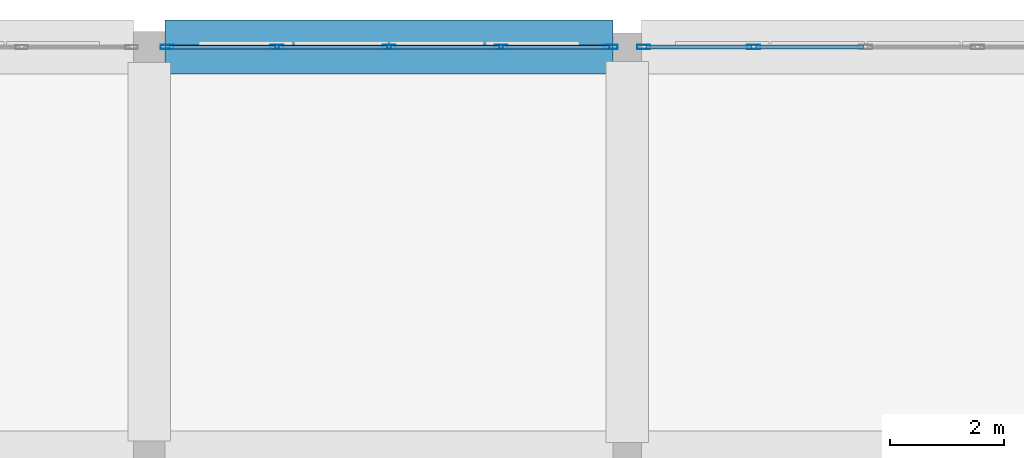
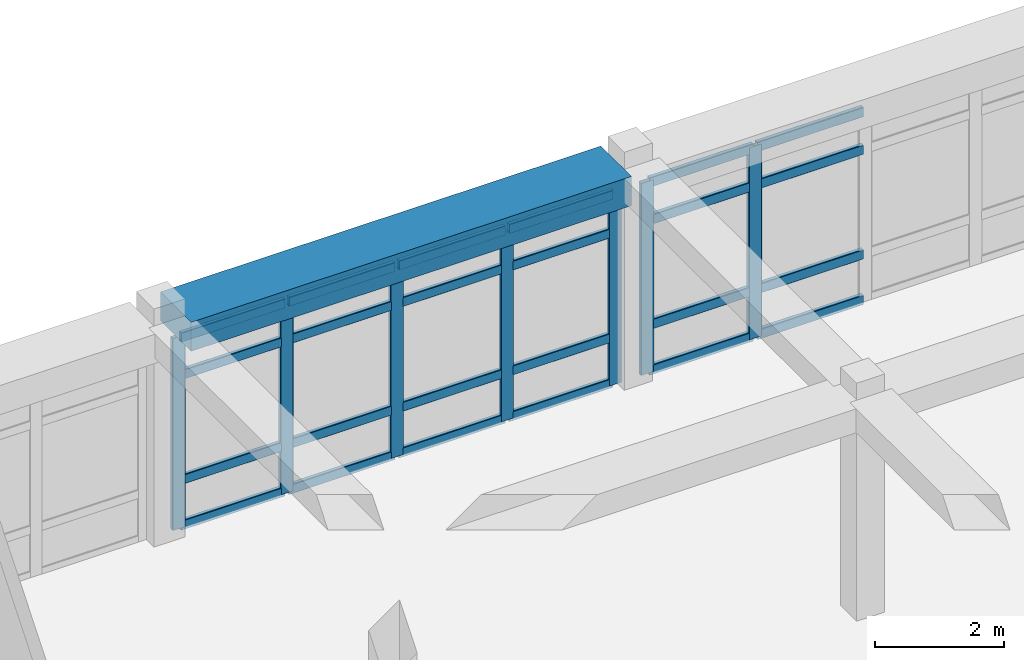
# One storey, part 50 of 121: 31 members, 1 beam, 2 elements without a shape of their own.
"""IFC4 building model written with IfcOpenShell, lengths in metres."""

from ifc_helpers import new_model, si_unit, derived_unit, direction, frame, origin, origin_2d, place, context, subcontext, project, spatial, rectangle, hollow_rectangle, extrude, material, material_profile, profile_set, type_object, element, aggregate, save


model = new_model("IFC4")

# Units and contexts
model_context = context("Model", 3, precision=1e-05, world=origin(), true_north=direction((0.0, 1.0)))
body_context = subcontext(model_context, "Body", "Model", "MODEL_VIEW")
ifc_project = project(units=[si_unit("LENGTHUNIT", "METRE"), si_unit("AREAUNIT", "SQUARE_METRE"), si_unit("VOLUMEUNIT", "CUBIC_METRE"), si_unit("PLANEANGLEUNIT", "RADIAN"), si_unit("MASSUNIT", "GRAM", prefix="KILO"), derived_unit("THERMALTRANSMITTANCEUNIT", [(si_unit("POWERUNIT", "WATT"), 1), (si_unit("LENGTHUNIT", "METRE"), -2), (si_unit("THERMODYNAMICTEMPERATUREUNIT", "KELVIN"), -1)])], contexts=[model_context])

# Site, building, storey
site_placement = place(None, origin())
site = spatial("IfcSite", under=ifc_project, at=site_placement, CompositionType="ELEMENT")
building_placement = place(site_placement, origin())
building = spatial("IfcBuilding", under=site, at=building_placement, Name="Veybourne Emporium", CompositionType="ELEMENT")
storey_placement = place(building_placement, frame((0.0, 0.0, 5.39990234375)))
storey = spatial("IfcBuildingStorey", under=building, at=storey_placement, Name="L01", CompositionType="ELEMENT", Elevation=5.39990234375)

# Curtain wall, members
ifc_material_1 = material(Name="Patinated Architectural Bronze", Category="bronze")
curtain_wall_type_1 = type_object("IfcCurtainWallType", Name="CWSystem_CWS-18", PredefinedType="NOTDEFINED", material=ifc_material_1)
curtain_wall_1_placement = place(storey_placement, origin())
curtain_wall_1 = element("IfcCurtainWall", 1, at=curtain_wall_1_placement, inside=storey, type_object=curtain_wall_type_1, Name="L01 bronze glazed curtain wall CWS-18 (045)", PredefinedType="NOTDEFINED")
ifc_material_profile_1 = material_profile(ifc_material_1, hollow_rectangle(XDim=0.074951171875, YDim=0.22998046875, WallThickness=0.0048828125, InnerFilletRadius=0.007568359375, OuterFilletRadius=0.012451171875, at=origin_2d()), Name="CWM 75x230x5")
ifc_profile_set_1 = profile_set([ifc_material_profile_1], Name="Patinated Architectural Bronze")
member_type_1 = type_object("IfcMemberType", Name="CWMullion_CW-M2", PredefinedType="MULLION", material=ifc_profile_set_1)
member_1_placement = place(storey_placement, frame((84.3125, 115.199951171875, 0.0), z_axis=(0.0, 0.0, 1.0), x_axis=(0.0, 1.0, 0.0)))
member_1 = element("IfcMember", 2, at=member_1_placement, type_object=member_type_1, Name="CWS-18 mullion 1", PredefinedType="MULLION", context=body_context, shape_type="SweptSolid", body=[
    extrude(hollow_rectangle(XDim=0.074951171875, YDim=0.22998046875, WallThickness=0.0048828125, InnerFilletRadius=0.007568359375, OuterFilletRadius=0.012451171875, at=origin_2d()), origin(), (0.0, 0.0, 1.0), 3.630126953125),
])
member_2_placement = place(storey_placement, frame((86.24365234375, 115.199951171875, 0.0), z_axis=(0.0, 0.0, 1.0), x_axis=(0.0, 1.0, 0.0)))
member_2 = element("IfcMember", 3, at=member_2_placement, type_object=member_type_1, Name="CWS-18 mullion 2", PredefinedType="MULLION", context=body_context, shape_type="SweptSolid", body=[
    extrude(hollow_rectangle(XDim=0.074951171875, YDim=0.22998046875, WallThickness=0.0048828125, InnerFilletRadius=0.007568359375, OuterFilletRadius=0.012451171875, at=origin_2d()), origin(), (0.0, 0.0, 1.0), 3.630126953125),
])
member_3_placement = place(storey_placement, frame((88.21240234375, 115.199951171875, 0.0), z_axis=(0.0, 0.0, 1.0), x_axis=(0.0, 1.0, 0.0)))
member_3 = element("IfcMember", 4, at=member_3_placement, type_object=member_type_1, Name="CWS-18 mullion 3", PredefinedType="MULLION", context=body_context, shape_type="SweptSolid", body=[
    extrude(hollow_rectangle(XDim=0.074951171875, YDim=0.22998046875, WallThickness=0.0048828125, InnerFilletRadius=0.007568359375, OuterFilletRadius=0.012451171875, at=origin_2d()), origin(), (0.0, 0.0, 1.0), 3.630126953125),
])
member_4_placement = place(storey_placement, frame((90.18115234375, 115.199951171875, 0.0), z_axis=(0.0, 0.0, 1.0), x_axis=(0.0, 1.0, 0.0)))
member_4 = element("IfcMember", 5, at=member_4_placement, type_object=member_type_1, Name="CWS-18 mullion 4", PredefinedType="MULLION", context=body_context, shape_type="SweptSolid", body=[
    extrude(hollow_rectangle(XDim=0.074951171875, YDim=0.22998046875, WallThickness=0.0048828125, InnerFilletRadius=0.007568359375, OuterFilletRadius=0.012451171875, at=origin_2d()), origin(), (0.0, 0.0, 1.0), 3.630126953125),
])
member_5_placement = place(storey_placement, frame((92.112548828125, 115.199951171875, 0.0), z_axis=(0.0, 0.0, 1.0), x_axis=(0.0, 1.0, 0.0)))
member_5 = element("IfcMember", 6, at=member_5_placement, type_object=member_type_1, Name="CWS-18 mullion 5", PredefinedType="MULLION", context=body_context, shape_type="SweptSolid", body=[
    extrude(hollow_rectangle(XDim=0.074951171875, YDim=0.22998046875, WallThickness=0.0048828125, InnerFilletRadius=0.007568359375, OuterFilletRadius=0.012451171875, at=origin_2d()), origin(), (0.0, 0.0, 1.0), 3.630126953125),
])

curtain_wall_type_2 = type_object("IfcCurtainWallType", Name="CWSystem_CWS-23", PredefinedType="NOTDEFINED", material=ifc_material_1)
curtain_wall_2_placement = place(storey_placement, origin())
curtain_wall_2 = element("IfcCurtainWall", 7, at=curtain_wall_2_placement, inside=storey, type_object=curtain_wall_type_2, Name="L01 bronze glazed curtain wall CWS-23 (060)", PredefinedType="NOTDEFINED")
ifc_material_profile_2 = material_profile(ifc_material_1, hollow_rectangle(XDim=0.077880859375, YDim=0.235107421875, WallThickness=0.0048828125, InnerFilletRadius=0.007568359375, OuterFilletRadius=0.012451171875, at=origin_2d()), Name="CWM 78x235x5")
ifc_profile_set_2 = profile_set([ifc_material_profile_2], Name="Patinated Architectural Bronze")
member_type_2 = type_object("IfcMemberType", Name="CWMullion_CW-M3", PredefinedType="MULLION", material=ifc_profile_set_2)
member_6_placement = place(storey_placement, frame((92.68896484375, 115.199951171875, 0.0), z_axis=(0.0, 0.0, 1.0), x_axis=(0.0, 1.0, 0.0)))
member_6 = element("IfcMember", 8, at=member_6_placement, type_object=member_type_2, Name="CWS-23 mullion 1", PredefinedType="MULLION", context=body_context, shape_type="SweptSolid", body=[
    extrude(hollow_rectangle(XDim=0.077880859375, YDim=0.235107421875, WallThickness=0.0048828125, InnerFilletRadius=0.007568359375, OuterFilletRadius=0.012451171875, at=origin_2d()), origin(), (0.0, 0.0, 1.0), 3.630126953125),
])
member_7_placement = place(storey_placement, frame((94.61865234375, 115.199951171875, 0.0), z_axis=(0.0, 0.0, 1.0), x_axis=(0.0, 1.0, 0.0)))
member_7 = element("IfcMember", 9, at=member_7_placement, type_object=member_type_2, Name="CWS-23 mullion 2", PredefinedType="MULLION", context=body_context, shape_type="SweptSolid", body=[
    extrude(hollow_rectangle(XDim=0.077880859375, YDim=0.235107421875, WallThickness=0.0048828125, InnerFilletRadius=0.007568359375, OuterFilletRadius=0.012451171875, at=origin_2d()), origin(), (0.0, 0.0, 1.0), 3.630126953125),
])

# Member
ifc_material_profile_3 = material_profile(ifc_material_1, hollow_rectangle(XDim=0.074951171875, YDim=0.179931640625, WallThickness=0.0048828125, InnerFilletRadius=0.007568359375, OuterFilletRadius=0.012451171875, at=origin_2d()), Name="CWT 75x180x5")
ifc_profile_set_3 = profile_set([ifc_material_profile_3], Name="Patinated Architectural Bronze")
member_type_3 = type_object("IfcMemberType", Name="CWTransom_CW-T2", PredefinedType="NOTDEFINED", material=ifc_profile_set_3)
member_8_placement = place(storey_placement, frame((84.35009765625, 115.199951171875, 0.03759765625), z_axis=(1.0, 0.0, 0.0), x_axis=(0.0, 1.0, 0.0)))
member_8 = element("IfcMember", 10, at=member_8_placement, type_object=member_type_3, Name="CWS-18 transom 1.1", ObjectType="TRANSOM", PredefinedType="USERDEFINED", context=body_context, shape_type="SweptSolid", body=[
    extrude(hollow_rectangle(XDim=0.074951171875, YDim=0.179931640625, WallThickness=0.0048828125, InnerFilletRadius=0.007568359375, OuterFilletRadius=0.012451171875, at=origin_2d()), origin(), (0.0, 0.0, 1.0), 1.856201171875),
])

member_9_placement = place(storey_placement, frame((84.35009765625, 115.199951171875, 0.900146484375), z_axis=(1.0, 0.0, 0.0), x_axis=(0.0, 1.0, 0.0)))
member_9 = element("IfcMember", 11, at=member_9_placement, type_object=member_type_3, Name="CWS-18 transom 1.2", ObjectType="TRANSOM", PredefinedType="USERDEFINED", context=body_context, shape_type="SweptSolid", body=[
    extrude(hollow_rectangle(XDim=0.074951171875, YDim=0.179931640625, WallThickness=0.0048828125, InnerFilletRadius=0.007568359375, OuterFilletRadius=0.012451171875, at=origin_2d()), origin(), (0.0, 0.0, 1.0), 1.856201171875),
])

member_10_placement = place(storey_placement, frame((84.35009765625, 115.199951171875, 2.880126953125), z_axis=(1.0, 0.0, 0.0), x_axis=(0.0, 1.0, 0.0)))
member_10 = element("IfcMember", 12, at=member_10_placement, type_object=member_type_3, Name="CWS-18 transom 1.3", ObjectType="TRANSOM", PredefinedType="USERDEFINED", context=body_context, shape_type="SweptSolid", body=[
    extrude(hollow_rectangle(XDim=0.074951171875, YDim=0.179931640625, WallThickness=0.0048828125, InnerFilletRadius=0.007568359375, OuterFilletRadius=0.012451171875, at=origin_2d()), origin(), (0.0, 0.0, 1.0), 1.856201171875),
])

member_11_placement = place(storey_placement, frame((84.35009765625, 115.199951171875, 3.592529296875), z_axis=(1.0, 0.0, 0.0), x_axis=(0.0, 1.0, 0.0)))
member_11 = element("IfcMember", 13, at=member_11_placement, type_object=member_type_3, Name="CWS-18 transom 1.4", ObjectType="TRANSOM", PredefinedType="USERDEFINED", context=body_context, shape_type="SweptSolid", body=[
    extrude(hollow_rectangle(XDim=0.074951171875, YDim=0.179931640625, WallThickness=0.0048828125, InnerFilletRadius=0.007568359375, OuterFilletRadius=0.012451171875, at=origin_2d()), origin(), (0.0, 0.0, 1.0), 1.856201171875),
])

member_12_placement = place(storey_placement, frame((86.28125, 115.199951171875, 0.03759765625), z_axis=(1.0, 0.0, 0.0), x_axis=(0.0, 1.0, 0.0)))
member_12 = element("IfcMember", 14, at=member_12_placement, type_object=member_type_3, Name="CWS-18 transom 2.1", ObjectType="TRANSOM", PredefinedType="USERDEFINED", context=body_context, shape_type="SweptSolid", body=[
    extrude(hollow_rectangle(XDim=0.074951171875, YDim=0.179931640625, WallThickness=0.0048828125, InnerFilletRadius=0.007568359375, OuterFilletRadius=0.012451171875, at=origin_2d()), origin(), (0.0, 0.0, 1.0), 1.893798828125),
])

member_13_placement = place(storey_placement, frame((86.28125, 115.199951171875, 0.900146484375), z_axis=(1.0, 0.0, 0.0), x_axis=(0.0, 1.0, 0.0)))
member_13 = element("IfcMember", 15, at=member_13_placement, type_object=member_type_3, Name="CWS-18 transom 2.2", ObjectType="TRANSOM", PredefinedType="USERDEFINED", context=body_context, shape_type="SweptSolid", body=[
    extrude(hollow_rectangle(XDim=0.074951171875, YDim=0.179931640625, WallThickness=0.0048828125, InnerFilletRadius=0.007568359375, OuterFilletRadius=0.012451171875, at=origin_2d()), origin(), (0.0, 0.0, 1.0), 1.893798828125),
])

member_14_placement = place(storey_placement, frame((86.28125, 115.199951171875, 2.880126953125), z_axis=(1.0, 0.0, 0.0), x_axis=(0.0, 1.0, 0.0)))
member_14 = element("IfcMember", 16, at=member_14_placement, type_object=member_type_3, Name="CWS-18 transom 2.3", ObjectType="TRANSOM", PredefinedType="USERDEFINED", context=body_context, shape_type="SweptSolid", body=[
    extrude(hollow_rectangle(XDim=0.074951171875, YDim=0.179931640625, WallThickness=0.0048828125, InnerFilletRadius=0.007568359375, OuterFilletRadius=0.012451171875, at=origin_2d()), origin(), (0.0, 0.0, 1.0), 1.893798828125),
])

member_15_placement = place(storey_placement, frame((86.28125, 115.199951171875, 3.592529296875), z_axis=(1.0, 0.0, 0.0), x_axis=(0.0, 1.0, 0.0)))
member_15 = element("IfcMember", 17, at=member_15_placement, type_object=member_type_3, Name="CWS-18 transom 2.4", ObjectType="TRANSOM", PredefinedType="USERDEFINED", context=body_context, shape_type="SweptSolid", body=[
    extrude(hollow_rectangle(XDim=0.074951171875, YDim=0.179931640625, WallThickness=0.0048828125, InnerFilletRadius=0.007568359375, OuterFilletRadius=0.012451171875, at=origin_2d()), origin(), (0.0, 0.0, 1.0), 1.893798828125),
])

member_16_placement = place(storey_placement, frame((88.25, 115.199951171875, 0.03759765625), z_axis=(1.0, 0.0, 0.0), x_axis=(0.0, 1.0, 0.0)))
member_16 = element("IfcMember", 18, at=member_16_placement, type_object=member_type_3, Name="CWS-18 transom 3.1", ObjectType="TRANSOM", PredefinedType="USERDEFINED", context=body_context, shape_type="SweptSolid", body=[
    extrude(hollow_rectangle(XDim=0.074951171875, YDim=0.179931640625, WallThickness=0.0048828125, InnerFilletRadius=0.007568359375, OuterFilletRadius=0.012451171875, at=origin_2d()), origin(), (0.0, 0.0, 1.0), 1.893798828125),
])

member_17_placement = place(storey_placement, frame((88.25, 115.199951171875, 0.900146484375), z_axis=(1.0, 0.0, 0.0), x_axis=(0.0, 1.0, 0.0)))
member_17 = element("IfcMember", 19, at=member_17_placement, type_object=member_type_3, Name="CWS-18 transom 3.2", ObjectType="TRANSOM", PredefinedType="USERDEFINED", context=body_context, shape_type="SweptSolid", body=[
    extrude(hollow_rectangle(XDim=0.074951171875, YDim=0.179931640625, WallThickness=0.0048828125, InnerFilletRadius=0.007568359375, OuterFilletRadius=0.012451171875, at=origin_2d()), origin(), (0.0, 0.0, 1.0), 1.893798828125),
])

member_18_placement = place(storey_placement, frame((88.25, 115.199951171875, 2.880126953125), z_axis=(1.0, 0.0, 0.0), x_axis=(0.0, 1.0, 0.0)))
member_18 = element("IfcMember", 20, at=member_18_placement, type_object=member_type_3, Name="CWS-18 transom 3.3", ObjectType="TRANSOM", PredefinedType="USERDEFINED", context=body_context, shape_type="SweptSolid", body=[
    extrude(hollow_rectangle(XDim=0.074951171875, YDim=0.179931640625, WallThickness=0.0048828125, InnerFilletRadius=0.007568359375, OuterFilletRadius=0.012451171875, at=origin_2d()), origin(), (0.0, 0.0, 1.0), 1.893798828125),
])

member_19_placement = place(storey_placement, frame((88.25, 115.199951171875, 3.592529296875), z_axis=(1.0, 0.0, 0.0), x_axis=(0.0, 1.0, 0.0)))
member_19 = element("IfcMember", 21, at=member_19_placement, type_object=member_type_3, Name="CWS-18 transom 3.4", ObjectType="TRANSOM", PredefinedType="USERDEFINED", context=body_context, shape_type="SweptSolid", body=[
    extrude(hollow_rectangle(XDim=0.074951171875, YDim=0.179931640625, WallThickness=0.0048828125, InnerFilletRadius=0.007568359375, OuterFilletRadius=0.012451171875, at=origin_2d()), origin(), (0.0, 0.0, 1.0), 1.893798828125),
])

member_20_placement = place(storey_placement, frame((90.21875, 115.199951171875, 0.03759765625), z_axis=(1.0, 0.0, 0.0), x_axis=(0.0, 1.0, 0.0)))
member_20 = element("IfcMember", 22, at=member_20_placement, type_object=member_type_3, Name="CWS-18 transom 4.1", ObjectType="TRANSOM", PredefinedType="USERDEFINED", context=body_context, shape_type="SweptSolid", body=[
    extrude(hollow_rectangle(XDim=0.074951171875, YDim=0.179931640625, WallThickness=0.0048828125, InnerFilletRadius=0.007568359375, OuterFilletRadius=0.012451171875, at=origin_2d()), origin(), (0.0, 0.0, 1.0), 1.856201171875),
])

member_21_placement = place(storey_placement, frame((90.21875, 115.199951171875, 0.900146484375), z_axis=(1.0, 0.0, 0.0), x_axis=(0.0, 1.0, 0.0)))
member_21 = element("IfcMember", 23, at=member_21_placement, type_object=member_type_3, Name="CWS-18 transom 4.2", ObjectType="TRANSOM", PredefinedType="USERDEFINED", context=body_context, shape_type="SweptSolid", body=[
    extrude(hollow_rectangle(XDim=0.074951171875, YDim=0.179931640625, WallThickness=0.0048828125, InnerFilletRadius=0.007568359375, OuterFilletRadius=0.012451171875, at=origin_2d()), origin(), (0.0, 0.0, 1.0), 1.856201171875),
])

member_22_placement = place(storey_placement, frame((90.21875, 115.199951171875, 2.880126953125), z_axis=(1.0, 0.0, 0.0), x_axis=(0.0, 1.0, 0.0)))
member_22 = element("IfcMember", 24, at=member_22_placement, type_object=member_type_3, Name="CWS-18 transom 4.3", ObjectType="TRANSOM", PredefinedType="USERDEFINED", context=body_context, shape_type="SweptSolid", body=[
    extrude(hollow_rectangle(XDim=0.074951171875, YDim=0.179931640625, WallThickness=0.0048828125, InnerFilletRadius=0.007568359375, OuterFilletRadius=0.012451171875, at=origin_2d()), origin(), (0.0, 0.0, 1.0), 1.856201171875),
])

member_23_placement = place(storey_placement, frame((90.21875, 115.199951171875, 3.592529296875), z_axis=(1.0, 0.0, 0.0), x_axis=(0.0, 1.0, 0.0)))
member_23 = element("IfcMember", 25, at=member_23_placement, type_object=member_type_3, Name="CWS-18 transom 4.4", ObjectType="TRANSOM", PredefinedType="USERDEFINED", context=body_context, shape_type="SweptSolid", body=[
    extrude(hollow_rectangle(XDim=0.074951171875, YDim=0.179931640625, WallThickness=0.0048828125, InnerFilletRadius=0.007568359375, OuterFilletRadius=0.012451171875, at=origin_2d()), origin(), (0.0, 0.0, 1.0), 1.856201171875),
])

aggregate(curtain_wall_1, [member_1, member_2, member_3, member_4, member_5, member_8, member_9, member_10, member_11, member_12, member_13, member_14, member_15, member_16, member_17, member_18, member_19, member_20, member_21, member_22, member_23])

ifc_material_profile_4 = material_profile(ifc_material_1, hollow_rectangle(XDim=0.077880859375, YDim=0.18505859375, WallThickness=0.0048828125, InnerFilletRadius=0.007568359375, OuterFilletRadius=0.012451171875, at=origin_2d()), Name="CWT 78x185x5")
ifc_profile_set_4 = profile_set([ifc_material_profile_4], Name="Patinated Architectural Bronze")
member_type_4 = type_object("IfcMemberType", Name="CWTransom_CW-T3", PredefinedType="NOTDEFINED", material=ifc_profile_set_4)
member_24_placement = place(storey_placement, frame((92.72802734375, 115.199951171875, 0.0390625), z_axis=(1.0, 0.0, 0.0), x_axis=(0.0, 1.0, 0.0)))
member_24 = element("IfcMember", 26, at=member_24_placement, type_object=member_type_4, Name="CWS-23 transom 1.1", ObjectType="TRANSOM", PredefinedType="USERDEFINED", context=body_context, shape_type="SweptSolid", body=[
    extrude(hollow_rectangle(XDim=0.077880859375, YDim=0.18505859375, WallThickness=0.0048828125, InnerFilletRadius=0.007568359375, OuterFilletRadius=0.012451171875, at=origin_2d()), origin(), (0.0, 0.0, 1.0), 1.851806640625),
])

member_25_placement = place(storey_placement, frame((92.72802734375, 115.199951171875, 0.900146484375), z_axis=(1.0, 0.0, 0.0), x_axis=(0.0, 1.0, 0.0)))
member_25 = element("IfcMember", 27, at=member_25_placement, type_object=member_type_4, Name="CWS-23 transom 1.2", ObjectType="TRANSOM", PredefinedType="USERDEFINED", context=body_context, shape_type="SweptSolid", body=[
    extrude(hollow_rectangle(XDim=0.077880859375, YDim=0.18505859375, WallThickness=0.0048828125, InnerFilletRadius=0.007568359375, OuterFilletRadius=0.012451171875, at=origin_2d()), origin(), (0.0, 0.0, 1.0), 1.851806640625),
])

member_26_placement = place(storey_placement, frame((92.72802734375, 115.199951171875, 2.880126953125), z_axis=(1.0, 0.0, 0.0), x_axis=(0.0, 1.0, 0.0)))
member_26 = element("IfcMember", 28, at=member_26_placement, type_object=member_type_4, Name="CWS-23 transom 1.3", ObjectType="TRANSOM", PredefinedType="USERDEFINED", context=body_context, shape_type="SweptSolid", body=[
    extrude(hollow_rectangle(XDim=0.077880859375, YDim=0.18505859375, WallThickness=0.0048828125, InnerFilletRadius=0.007568359375, OuterFilletRadius=0.012451171875, at=origin_2d()), origin(), (0.0, 0.0, 1.0), 1.851806640625),
])

member_27_placement = place(storey_placement, frame((92.72802734375, 115.199951171875, 3.591064453125), z_axis=(1.0, 0.0, 0.0), x_axis=(0.0, 1.0, 0.0)))
member_27 = element("IfcMember", 29, at=member_27_placement, type_object=member_type_4, Name="CWS-23 transom 1.4", ObjectType="TRANSOM", PredefinedType="USERDEFINED", context=body_context, shape_type="SweptSolid", body=[
    extrude(hollow_rectangle(XDim=0.077880859375, YDim=0.18505859375, WallThickness=0.0048828125, InnerFilletRadius=0.007568359375, OuterFilletRadius=0.012451171875, at=origin_2d()), origin(), (0.0, 0.0, 1.0), 1.851806640625),
])

member_28_placement = place(storey_placement, frame((94.65771484375, 115.199951171875, 0.0390625), z_axis=(1.0, 0.0, 0.0), x_axis=(0.0, 1.0, 0.0)))
member_28 = element("IfcMember", 30, at=member_28_placement, type_object=member_type_4, Name="CWS-23 transom 2.1", ObjectType="TRANSOM", PredefinedType="USERDEFINED", context=body_context, shape_type="SweptSolid", body=[
    extrude(hollow_rectangle(XDim=0.077880859375, YDim=0.18505859375, WallThickness=0.0048828125, InnerFilletRadius=0.007568359375, OuterFilletRadius=0.012451171875, at=origin_2d()), origin(), (0.0, 0.0, 1.0), 1.890869140625),
])

member_29_placement = place(storey_placement, frame((94.65771484375, 115.199951171875, 0.900146484375), z_axis=(1.0, 0.0, 0.0), x_axis=(0.0, 1.0, 0.0)))
member_29 = element("IfcMember", 31, at=member_29_placement, type_object=member_type_4, Name="CWS-23 transom 2.2", ObjectType="TRANSOM", PredefinedType="USERDEFINED", context=body_context, shape_type="SweptSolid", body=[
    extrude(hollow_rectangle(XDim=0.077880859375, YDim=0.18505859375, WallThickness=0.0048828125, InnerFilletRadius=0.007568359375, OuterFilletRadius=0.012451171875, at=origin_2d()), origin(), (0.0, 0.0, 1.0), 1.890869140625),
])

member_30_placement = place(storey_placement, frame((94.65771484375, 115.199951171875, 2.880126953125), z_axis=(1.0, 0.0, 0.0), x_axis=(0.0, 1.0, 0.0)))
member_30 = element("IfcMember", 32, at=member_30_placement, type_object=member_type_4, Name="CWS-23 transom 2.3", ObjectType="TRANSOM", PredefinedType="USERDEFINED", context=body_context, shape_type="SweptSolid", body=[
    extrude(hollow_rectangle(XDim=0.077880859375, YDim=0.18505859375, WallThickness=0.0048828125, InnerFilletRadius=0.007568359375, OuterFilletRadius=0.012451171875, at=origin_2d()), origin(), (0.0, 0.0, 1.0), 1.890869140625),
])

member_31_placement = place(storey_placement, frame((94.65771484375, 115.199951171875, 3.591064453125), z_axis=(1.0, 0.0, 0.0), x_axis=(0.0, 1.0, 0.0)))
member_31 = element("IfcMember", 33, at=member_31_placement, type_object=member_type_4, Name="CWS-23 transom 2.4", ObjectType="TRANSOM", PredefinedType="USERDEFINED", context=body_context, shape_type="SweptSolid", body=[
    extrude(hollow_rectangle(XDim=0.077880859375, YDim=0.18505859375, WallThickness=0.0048828125, InnerFilletRadius=0.007568359375, OuterFilletRadius=0.012451171875, at=origin_2d()), origin(), (0.0, 0.0, 1.0), 1.890869140625),
])

aggregate(curtain_wall_2, [member_6, member_7, member_24, member_25, member_26, member_27, member_28, member_29, member_30, member_31])

# Beam
ifc_material_2 = material(Name="Concrete C32/40", Category="concrete")
ifc_material_profile_5 = material_profile(ifc_material_2, rectangle(XDim=0.949951171875, YDim=0.550048828125, at=origin_2d()), Name="RC 950x550")
ifc_profile_set_5 = profile_set([ifc_material_profile_5], Name="Concrete C32/40")
beam_type = type_object("IfcBeamType", Name="RCBeam_EB-01", PredefinedType="SPANDREL", material=ifc_profile_set_5)
beam_placement = place(storey_placement, frame((84.27490234375, 115.199951171875, 3.905029296875), z_axis=(1.0, 0.0, 0.0), x_axis=(0.0, 1.0, 0.0)))
element("IfcBeam", 34, at=beam_placement, inside=storey, type_object=beam_type, Name="L01 X-grid beam EB-01 (10,16)", PredefinedType="SPANDREL", context=body_context, shape_type="SweptSolid", body=[
    extrude(rectangle(XDim=0.949951171875, YDim=0.550048828125, at=origin_2d()), origin(), (0.0, 0.0, 1.0), 7.875),
])

save(model, "model.ifc")
